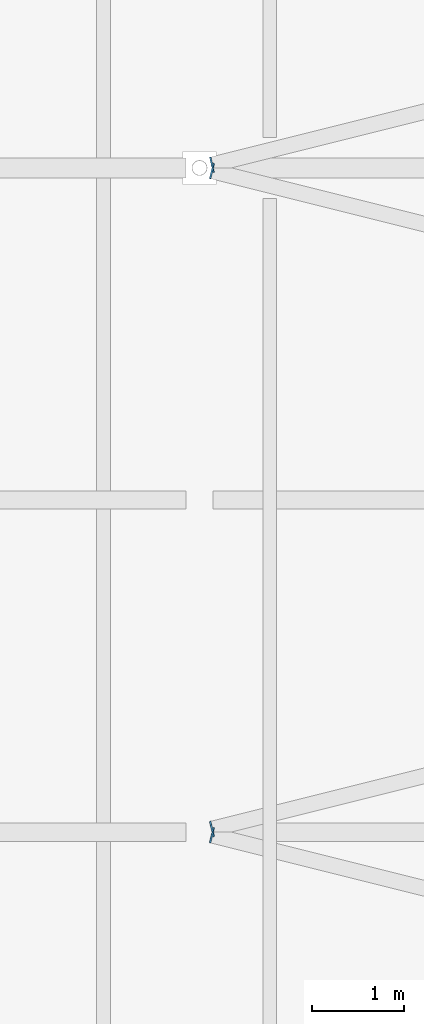
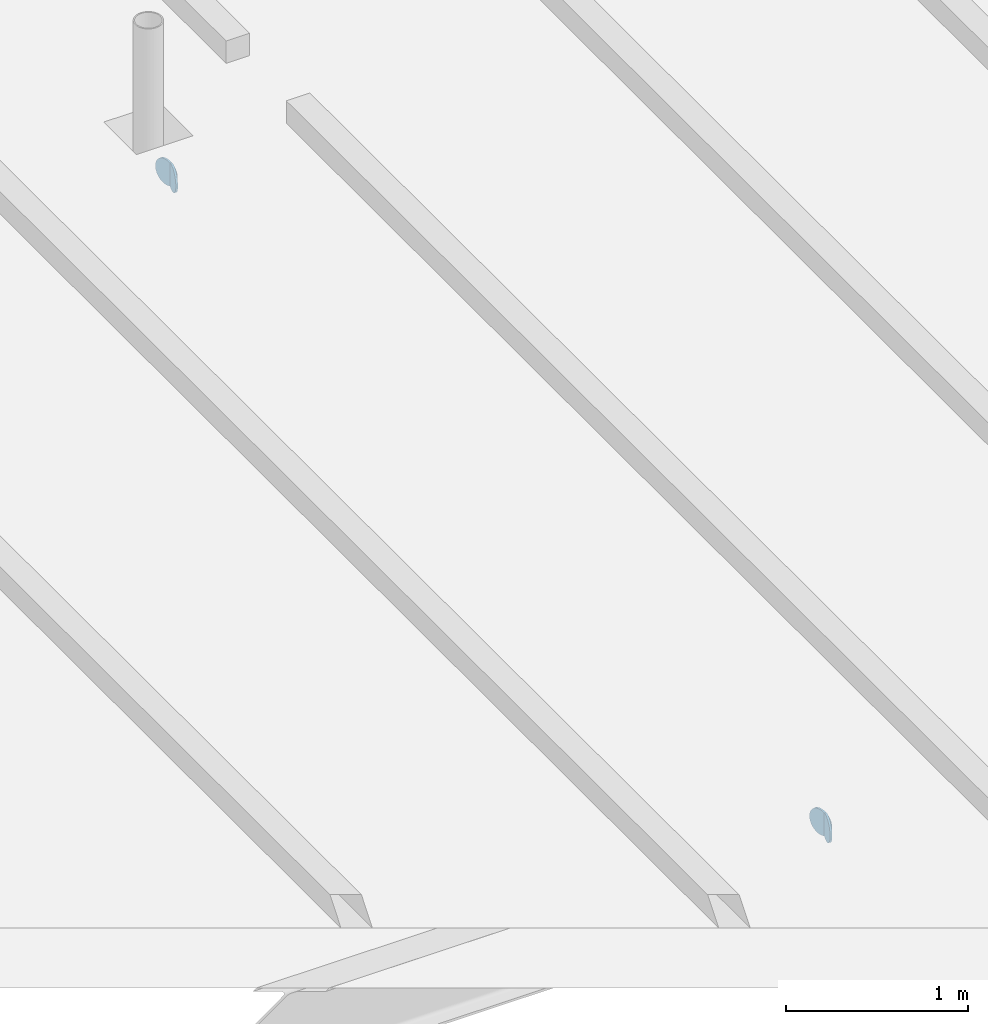
# One storey, part 106 of 120: 4 discrete accessories.
"""IFC4 building model written with IfcOpenShell, lengths in metres."""

from ifc_helpers import new_model, si_unit, direction, frame, origin, origin_2d, place, context, subcontext, project, spatial, circle, extrude, material, layer, layer_set, type_object, element, save


model = new_model("IFC4")

# Units and contexts
model_context = context("Model", 3, precision=1e-05, world=origin(), true_north=direction((0.0, 1.0)))
body_context = subcontext(model_context, "Body", "Model", "MODEL_VIEW")
ifc_project = project(units=[si_unit("LENGTHUNIT", "METRE"), si_unit("AREAUNIT", "SQUARE_METRE"), si_unit("VOLUMEUNIT", "CUBIC_METRE"), si_unit("PLANEANGLEUNIT", "RADIAN"), si_unit("MASSUNIT", "GRAM", prefix="KILO")], contexts=[model_context])

# Site, building, storey
site_placement = place(None, origin())
site = spatial("IfcSite", under=ifc_project, at=site_placement, CompositionType="ELEMENT")
building_placement = place(site_placement, origin())
building = spatial("IfcBuilding", under=site, at=building_placement, Name="Kupolbacken Congress Centre", CompositionType="ELEMENT")
storey_placement = place(building_placement, frame((0.0, 0.0, 21.60009765625)))
storey = spatial("IfcBuildingStorey", under=building, at=storey_placement, Name="L06", CompositionType="ELEMENT", Elevation=21.60009765625)

# Discrete accessories
ifc_material = material(Name="Steel S355", Category="steel")
ifc_layer = layer(ifc_material, 0.011962890625)
ifc_layer_set = layer_set([ifc_layer], Name="Steel S355")
discrete_accessory_type = type_object("IfcDiscreteAccessoryType", Name="EC2 tube end cap plate 168 dia x 12", PredefinedType="BRACKET", material=ifc_layer_set)
for number, where, z_axis, x_axis, name in (
    (1, (180.140625, 89.96484375, -0.084228515625), (-0.970142500145, 0.242535625036, 0.0), (-0.242535625036, -0.970142500145, 0.0), "End cap plate HR/RB/07-12 B"),
    (2, (180.140625, 90.03515625, -0.084228515625), (-0.970142500145, -0.242535625036, 0.0), (0.242535625036, -0.970142500145, 0.0), "End cap plate HR/RB/07-13 A"),
    (3, (180.140625, 97.164794921875, -0.084228515625), (-0.970142500145, 0.242535625036, 0.0), (-0.242535625036, -0.970142500145, 0.0), "End cap plate HR/RB/07-14 B"),
    (4, (180.140625, 97.235107421875, -0.084228515625), (-0.974732318528, -0.223376156329, 0.0), (0.223376156329, -0.974732318528, 0.0), "End cap plate HR/RB/07-15 A"),
):
    element("IfcDiscreteAccessory", number, at=place(storey_placement, frame(where, z_axis=z_axis, x_axis=x_axis)), inside=storey, type_object=discrete_accessory_type, Name=name, PredefinedType="BRACKET", context=body_context, shape_type="SweptSolid", body=[
        extrude(circle(Radius=0.084228515625, at=origin_2d()), origin(), (0.0, 0.0, 1.0), 0.011962890625),
    ])

save(model, "model.ifc")
